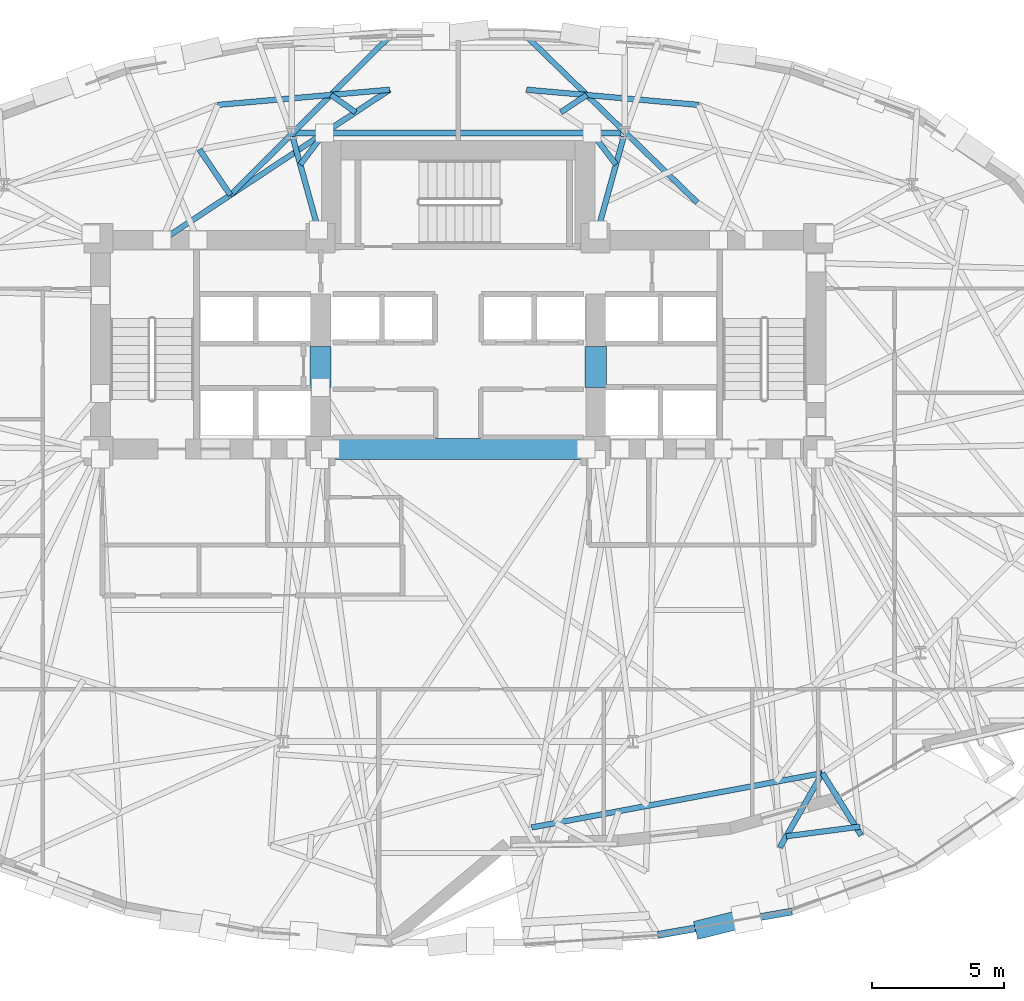
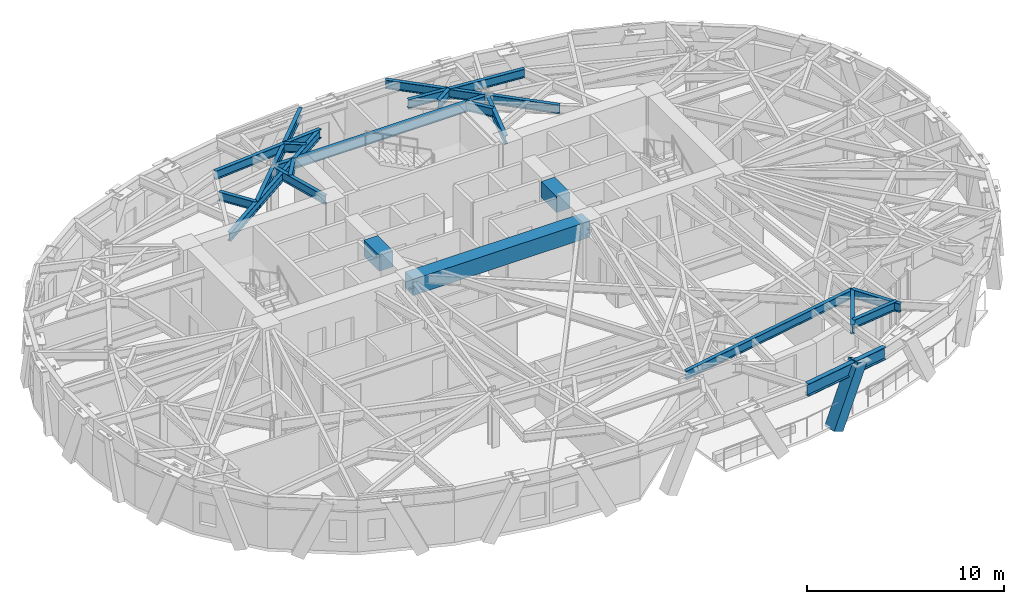
# One storey, part 3 of 14: 21 beams, 1 member.
"""IFC4 building model written with IfcOpenShell, lengths in metres."""

from ifc_helpers import new_model, si_unit, direction, frame, origin, origin_2d, place, context, subcontext, project, spatial, rectangle, hollow_rectangle, i_section, extrude, material, material_profile, profile_set, type_object, element, save


model = new_model("IFC4")

# Units and contexts
model_context = context("Model", 3, precision=1e-05, world=origin(), true_north=direction((0.0, 1.0)))
body_context = subcontext(model_context, "Body", "Model", "MODEL_VIEW")
ifc_project = project(units=[si_unit("LENGTHUNIT", "METRE"), si_unit("AREAUNIT", "SQUARE_METRE"), si_unit("VOLUMEUNIT", "CUBIC_METRE"), si_unit("PLANEANGLEUNIT", "RADIAN"), si_unit("MASSUNIT", "GRAM", prefix="KILO")], contexts=[model_context])

# Site, building, storey
site_placement = place(None, origin())
site = spatial("IfcSite", under=ifc_project, at=site_placement, CompositionType="ELEMENT")
building_placement = place(site_placement, origin())
building = spatial("IfcBuilding", under=site, at=building_placement, Name="Keldmark Tower", CompositionType="ELEMENT")
storey_placement = place(building_placement, frame((0.0, 0.0, 128.10009765625)))
storey = spatial("IfcBuildingStorey", under=building, at=storey_placement, Name="L34", CompositionType="ELEMENT", Elevation=128.10009765625)

# Beams
ifc_material_1 = material(Name="Concrete C70/85", Category="concrete")
ifc_material_profile_1 = material_profile(ifc_material_1, rectangle(XDim=0.800048828125, YDim=1.0, at=origin_2d()), Name="RCB800X1000")
ifc_profile_set_1 = profile_set([ifc_material_profile_1], Name="Concrete C70/85")
beam_type_1 = type_object("IfcBeamType", Name="Core Coupling Beam RCB800X1000", PredefinedType="USERDEFINED", material=ifc_profile_set_1)
for number, where, z_axis, x_axis, name in (
    (1, (-5.199951171875, 3.800048828125, 2.809814453125), (0.0, 1.0, 0.0), (-1.0, 0.0, 0.0), "L34 West Core Coupling Beam"),
    (2, (5.199951171875, 3.800048828125, 2.809814453125), (0.0, 1.0, 0.0), (-1.0, 0.0, 0.0), "L34 East Core Coupling Beam"),
):
    element("IfcBeam", number, at=place(storey_placement, frame(where, z_axis=z_axis, x_axis=x_axis)), inside=storey, type_object=beam_type_1, Name=name, ObjectType="COUPLING BEAM", PredefinedType="USERDEFINED", context=body_context, shape_type="SweptSolid", body=[
        extrude(rectangle(XDim=0.800048828125, YDim=1.0, at=origin_2d()), origin(), (0.0, 0.0, 1.0), 1.550048828125),
    ])
beam_1_placement = place(storey_placement, frame((-5.199951171875, 1.47509765625, 2.809814453125), z_axis=(1.0, 0.0, 0.0), x_axis=(0.0, 1.0, 0.0)))
element("IfcBeam", 3, at=beam_1_placement, inside=storey, type_object=beam_type_1, Name="L34 Central South Core Coupling Beam", ObjectType="COUPLING BEAM", PredefinedType="USERDEFINED", context=body_context, shape_type="SweptSolid", body=[
    extrude(rectangle(XDim=0.800048828125, YDim=1.0, at=origin_2d()), origin(), (0.0, 0.0, 1.0), 10.39990234375),
])

# Member
ifc_material_2 = material(Name="Steel ASTM A572 Grade 50", Category="steel")
ifc_material_profile_2 = material_profile(ifc_material_2, hollow_rectangle(XDim=0.699951171875, YDim=0.699951171875, WallThickness=0.044921875, at=origin_2d()), Name="BOX700X700X45")
ifc_profile_set_2 = profile_set([ifc_material_profile_2], Name="Steel ASTM A572 Grade 50")
member_type = type_object("IfcMemberType", Name="Diagrid Zone 2 Brace BOX700X700X45", PredefinedType="BRACE", material=ifc_profile_set_2)
member_placement = place(storey_placement, frame((9.282470703125, -16.64794921875, -0.27001953125), z_axis=(0.424162495439, 0.104977520194, 0.899480904587), x_axis=(-0.240245110564, 0.970712257495, 0.0)))
element("IfcMember", 4, at=member_placement, inside=storey, type_object=member_type, Name="L34 Perimeter Diagrid Brace 13B", PredefinedType="BRACE", context=body_context, shape_type="SweptSolid", body=[
    extrude(hollow_rectangle(XDim=0.699951171875, YDim=0.699951171875, WallThickness=0.044921875, at=origin_2d()), origin(), (0.0, 0.0, 1.0), 3.8466796875),
])

# Beams
ifc_material_3 = material(Name="Steel ASTM A992 Grade 50", Category="steel")
ifc_material_profile_3 = material_profile(ifc_material_3, i_section(OverallWidth=0.22900390625, OverallDepth=0.612060546875, WebThickness=0.011962890625, FlangeThickness=0.01953125, at=origin_2d()), Name="W24X84")
ifc_profile_set_3 = profile_set([ifc_material_profile_3], Name="Steel ASTM A992 Grade 50")
beam_type_2 = type_object("IfcBeamType", Name="Primary Floor Girder W24X84", PredefinedType="BEAM", material=ifc_profile_set_3)
beam_2_placement = place(storey_placement, frame((6.15869140625, 13.4326171875, 3.00390625), z_axis=(-1.0, 0.0, 0.0), x_axis=(0.0, -1.0, 0.0)))
element("IfcBeam", 5, at=beam_2_placement, inside=storey, type_object=beam_type_2, Name="L34 Floor Ring Girder FG-R03", PredefinedType="BEAM", context=body_context, shape_type="SweptSolid", body=[
    extrude(i_section(OverallWidth=0.22900390625, OverallDepth=0.612060546875, WebThickness=0.011962890625, FlangeThickness=0.01953125, at=origin_2d()), origin(), (0.0, 0.0, 1.0), 12.3173828125),
])
ifc_material_4 = material(Name="Steel ASTM A992 Grade 50", Category="steel")
ifc_material_profile_4 = material_profile(ifc_material_4, i_section(OverallWidth=0.2099609375, OverallDepth=0.537109375, WebThickness=0.010986328125, FlangeThickness=0.017333984375, at=origin_2d()), Name="W21X68")
ifc_profile_set_4 = profile_set([ifc_material_profile_4], Name="Steel ASTM A992 Grade 50")
beam_type_3 = type_object("IfcBeamType", Name="Radial Tie Girder W21X68", PredefinedType="BEAM", material=ifc_profile_set_4)
for number, where, z_axis, x_axis, name in (
    (6, (6.26171875, 13.297607421875, 3.04150390625), (-0.265997186795, -0.963973804944, 0.0), (0.963973804944, -0.265997186795, 0.0), "L34 Floor Radial Girder FG-C03"),
    (7, (-6.26171875, 13.297607421875, 3.04150390625), (0.265997186795, -0.963973804944, 0.0), (0.963973804944, 0.265997186795, 0.0), "L34 Floor Radial Girder FG-C04"),
):
    element("IfcBeam", number, at=place(storey_placement, frame(where, z_axis=z_axis, x_axis=x_axis)), inside=storey, type_object=beam_type_3, Name=name, PredefinedType="BEAM", context=body_context, shape_type="SweptSolid", body=[
        extrude(i_section(OverallWidth=0.2099609375, OverallDepth=0.537109375, WebThickness=0.010986328125, FlangeThickness=0.017333984375, at=origin_2d()), origin(), (0.0, 0.0, 1.0), 3.67138671875),
    ])
for number, where, z_axis, x_axis, name in (
    (8, (5.968505859375, 12.23583984375, 3.04150390625), (-0.605646984458, 0.795733454252, 0.0), (-0.795733454252, -0.605646984458, 0.0), "L34 Framing Pin Header PH-003"),
    (9, (-5.968505859375, 12.23583984375, 3.04150390625), (0.605646984458, 0.795733454252, 0.0), (-0.795733454252, 0.605646984458, 0.0), "L34 Framing Pin Header PH-004"),
):
    element("IfcBeam", number, at=place(storey_placement, frame(where, z_axis=z_axis, x_axis=x_axis)), inside=storey, type_object=beam_type_3, Name=name, PredefinedType="BEAM", context=body_context, shape_type="SweptSolid", body=[
        extrude(i_section(OverallWidth=0.2099609375, OverallDepth=0.537109375, WebThickness=0.010986328125, FlangeThickness=0.017333984375, at=origin_2d()), origin(), (0.0, 0.0, 1.0), 1.50390625),
    ])
beam_3_placement = place(storey_placement, frame((-11.19287109375, 9.375, 3.04150390625), z_axis=(0.834094767098, 0.551621173904, 0.0), x_axis=(-0.551621173904, 0.834094767098, 0.0)))
element("IfcBeam", 10, at=beam_3_placement, inside=storey, type_object=beam_type_3, Name="L34 Sub-Ring Step Girder STP1-M04", PredefinedType="BEAM", context=body_context, shape_type="SweptSolid", body=[
    extrude(i_section(OverallWidth=0.2099609375, OverallDepth=0.537109375, WebThickness=0.010986328125, FlangeThickness=0.017333984375, at=origin_2d()), origin(), (0.0, 0.0, 1.0), 10.314453125),
])
beam_4_placement = place(storey_placement, frame((-8.61181640625, 11.081787109375, 3.04150390625), z_axis=(-0.561762046138, 0.827298859856, 0.0), x_axis=(-0.827298859856, -0.561762046138, 0.0)))
element("IfcBeam", 11, at=beam_4_placement, inside=storey, type_object=beam_type_3, Name="L34 Framing Pin Header PH-005", PredefinedType="BEAM", context=body_context, shape_type="SweptSolid", body=[
    extrude(i_section(OverallWidth=0.2099609375, OverallDepth=0.537109375, WebThickness=0.010986328125, FlangeThickness=0.017333984375, at=origin_2d()), origin(), (0.0, 0.0, 1.0), 2.084228515625),
])
for number, where, z_axis, x_axis, name in (
    (12, (9.09033203125, 14.490478515625, 3.04150390625), (-0.996121464327, 0.087988796488, 0.0), (-0.087988796488, -0.996121464327, 0.0), "L34 Perimeter Collector Ring Beam CRG1-M02"),
    (13, (-2.589599609375, 15.064697265625, 3.04150390625), (-0.996121464327, -0.087988796488, 0.0), (0.087988796488, -0.996121464327, 0.0), "L34 Perimeter Collector Ring Beam CRG1-M04"),
):
    element("IfcBeam", number, at=place(storey_placement, frame(where, z_axis=z_axis, x_axis=x_axis)), inside=storey, type_object=beam_type_3, Name=name, PredefinedType="BEAM", context=body_context, shape_type="SweptSolid", body=[
        extrude(i_section(OverallWidth=0.2099609375, OverallDepth=0.537109375, WebThickness=0.010986328125, FlangeThickness=0.017333984375, at=origin_2d()), origin(), (0.0, 0.0, 1.0), 6.526123046875),
    ])
beam_5_placement = place(storey_placement, frame((2.778564453125, -12.829345703125, 3.04150390625), z_axis=(0.982952660938, 0.183858821801, 0.0), x_axis=(-0.183858821801, 0.982952660938, 0.0)))
element("IfcBeam", 14, at=beam_5_placement, inside=storey, type_object=beam_type_3, Name="L34 Perimeter Collector Ring Beam CRG2-M10", PredefinedType="BEAM", context=body_context, shape_type="SweptSolid", body=[
    extrude(i_section(OverallWidth=0.2099609375, OverallDepth=0.537109375, WebThickness=0.010986328125, FlangeThickness=0.017333984375, at=origin_2d()), origin(), (0.0, 0.0, 1.0), 11.183349609375),
])
beam_6_placement = place(storey_placement, frame((3.880126953125, 14.211181640625, 3.04150390625), z_axis=(0.834077493191, 0.551647292526, 0.0), x_axis=(-0.551647292526, 0.834077493191, 0.0)))
element("IfcBeam", 15, at=beam_6_placement, inside=storey, type_object=beam_type_3, Name="L34 Framing Pin Header PH-014", PredefinedType="BEAM", context=body_context, shape_type="SweptSolid", body=[
    extrude(i_section(OverallWidth=0.2099609375, OverallDepth=0.537109375, WebThickness=0.010986328125, FlangeThickness=0.017333984375, at=origin_2d()), origin(), (0.0, 0.0, 1.0), 1.1826171875),
])
beam_7_placement = place(storey_placement, frame((9.0419921875, 10.79736328125, 3.04150390625), z_axis=(-0.716434643169, 0.697654213825, 0.0), x_axis=(-0.697654213825, -0.716434643169, 0.0)))
element("IfcBeam", 16, at=beam_7_placement, inside=storey, type_object=beam_type_3, Name="L34 Perimeter Radial Tie Girder RT-08", PredefinedType="BEAM", context=body_context, shape_type="SweptSolid", body=[
    extrude(i_section(OverallWidth=0.2099609375, OverallDepth=0.537109375, WebThickness=0.010986328125, FlangeThickness=0.017333984375, at=origin_2d()), origin(), (0.0, 0.0, 1.0), 9.138916015625),
])
beam_8_placement = place(storey_placement, frame((-3.880126953125, 14.211181640625, 3.04150390625), z_axis=(-0.816247867927, 0.577701841873, 0.0), x_axis=(-0.577701841873, -0.816247867927, 0.0)))
element("IfcBeam", 17, at=beam_8_placement, inside=storey, type_object=beam_type_3, Name="L34 Framing Pin Header PH-015", PredefinedType="BEAM", context=body_context, shape_type="SweptSolid", body=[
    extrude(i_section(OverallWidth=0.2099609375, OverallDepth=0.537109375, WebThickness=0.010986328125, FlangeThickness=0.017333984375, at=origin_2d()), origin(), (0.0, 0.0, 1.0), 1.13818359375),
])
beam_9_placement = place(storey_placement, frame((-8.61181640625, 11.081787109375, 3.04150390625), z_axis=(0.708604075705, 0.705606309421, 0.0), x_axis=(-0.705606309421, 0.708604075705, 0.0)))
element("IfcBeam", 18, at=beam_9_placement, inside=storey, type_object=beam_type_3, Name="L34 Perimeter Radial Tie Girder RT-09", PredefinedType="BEAM", context=body_context, shape_type="SweptSolid", body=[
    extrude(i_section(OverallWidth=0.2099609375, OverallDepth=0.537109375, WebThickness=0.010986328125, FlangeThickness=0.017333984375, at=origin_2d()), origin(), (0.0, 0.0, 1.0), 8.6328125),
])
beam_10_placement = place(storey_placement, frame((13.771240234375, -10.773193359375, 3.04150390625), z_axis=(-0.496106439927, -0.868261711849, 0.0), x_axis=(0.868261711849, -0.496106439927, 0.0)))
element("IfcBeam", 19, at=beam_10_placement, inside=storey, type_object=beam_type_3, Name="L34 Local Collector Chord RT-27C", PredefinedType="BEAM", context=body_context, shape_type="SweptSolid", body=[
    extrude(i_section(OverallWidth=0.2099609375, OverallDepth=0.537109375, WebThickness=0.010986328125, FlangeThickness=0.017333984375, at=origin_2d()), origin(), (0.0, 0.0, 1.0), 3.236083984375),
])
beam_11_placement = place(storey_placement, frame((13.771240234375, -10.773193359375, 3.04150390625), z_axis=(0.528143731297, -0.849154991207, 0.0), x_axis=(0.849154991207, 0.528143731297, 0.0)))
element("IfcBeam", 20, at=beam_11_placement, inside=storey, type_object=beam_type_3, Name="L34 Local Collector Chord RT-28C", PredefinedType="BEAM", context=body_context, shape_type="SweptSolid", body=[
    extrude(i_section(OverallWidth=0.2099609375, OverallDepth=0.537109375, WebThickness=0.010986328125, FlangeThickness=0.017333984375, at=origin_2d()), origin(), (0.0, 0.0, 1.0), 2.769775390625),
])
beam_12_placement = place(storey_placement, frame((12.406494140625, -13.16162109375, 3.04150390625), z_axis=(0.991597021873, 0.129365166149, 0.0), x_axis=(-0.129365166149, 0.991597021873, 0.0)))
element("IfcBeam", 21, at=beam_12_placement, inside=storey, type_object=beam_type_3, Name="L34 Framing Pin Header PH-033", PredefinedType="BEAM", context=body_context, shape_type="SweptSolid", body=[
    extrude(i_section(OverallWidth=0.2099609375, OverallDepth=0.537109375, WebThickness=0.010986328125, FlangeThickness=0.017333984375, at=origin_2d()), origin(), (0.0, 0.0, 1.0), 2.81201171875),
])
ifc_material_5 = material(Name="Steel ASTM A992 Grade 50", Category="steel")
ifc_material_profile_5 = material_profile(ifc_material_5, i_section(OverallWidth=0.26806640625, OverallDepth=0.77001953125, WebThickness=0.015625, FlangeThickness=0.025390625, at=origin_2d()), Name="W30X132")
ifc_profile_set_5 = profile_set([ifc_material_profile_5], Name="Steel ASTM A992 Grade 50")
beam_type_4 = type_object("IfcBeamType", Name="Spandrel Ring Beam W30X132", PredefinedType="SPANDREL", material=ifc_profile_set_5)
beam_13_placement = place(storey_placement, frame((7.55615234375, -16.88916015625, 2.9248046875), z_axis=(0.985176518658, 0.171543659411, 0.0), x_axis=(-0.171543659411, 0.985176518658, 0.0)))
element("IfcBeam", 22, at=beam_13_placement, inside=storey, type_object=beam_type_4, Name="L34 Perimeter Spandrel Ring Beam SRB-26", PredefinedType="SPANDREL", context=body_context, shape_type="SweptSolid", body=[
    extrude(i_section(OverallWidth=0.26806640625, OverallDepth=0.77001953125, WebThickness=0.015625, FlangeThickness=0.025390625, at=origin_2d()), origin(), (0.0, 0.0, 1.0), 5.13916015625),
])

save(model, "model.ifc")
